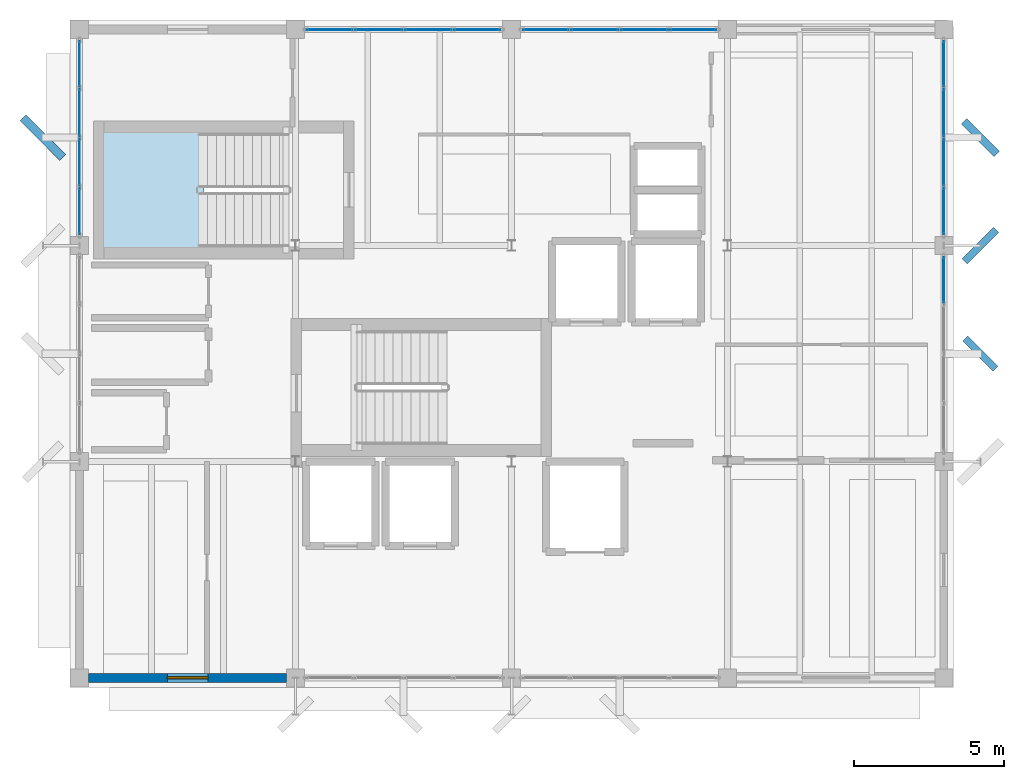
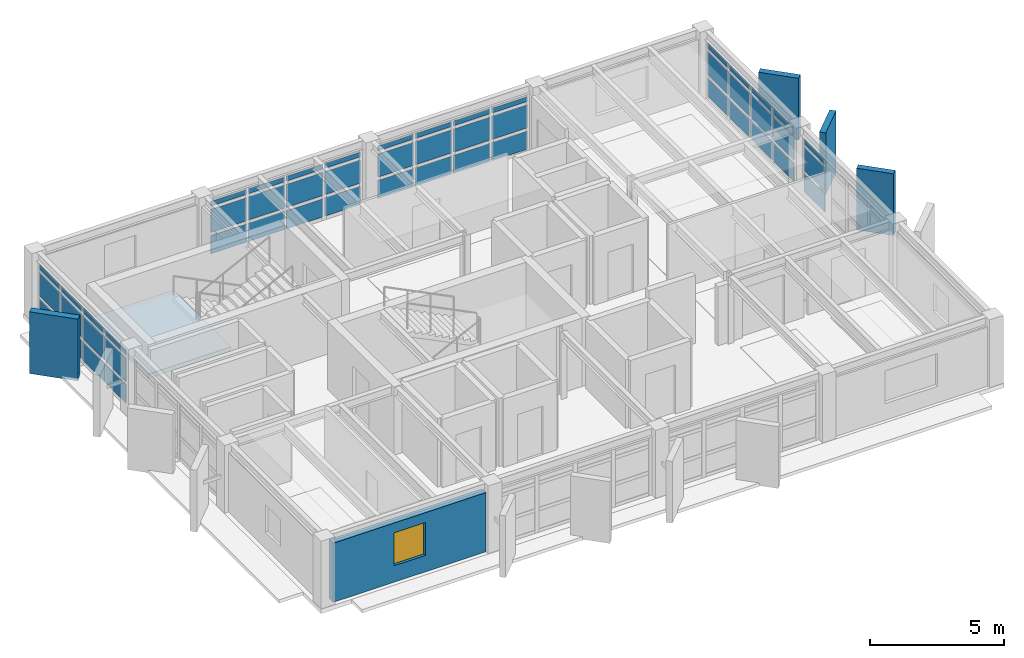
# One storey, part 10 of 15: 55 plates, 1 slab, 1 wall, 1 window, 1 opening, 6 elements without a shape of their own.
"""IFC4 building model written with IfcOpenShell, lengths in metres."""

from ifc_helpers import new_model, si_unit, direction, frame, frame_2d, origin, origin_2d, place, context, subcontext, project, spatial, polyline, rectangle, outline, extrude, material, layer, layer_set, type_object, element, fill, aggregate, save


model = new_model("IFC4")

# Units and contexts
model_context = context("Model", 3, precision=1e-05, world=origin(), true_north=direction((0.0, 1.0)))
body_context = subcontext(model_context, "Body", "Model", "MODEL_VIEW")
ifc_project = project(units=[si_unit("LENGTHUNIT", "METRE"), si_unit("AREAUNIT", "SQUARE_METRE"), si_unit("VOLUMEUNIT", "CUBIC_METRE"), si_unit("PLANEANGLEUNIT", "RADIAN"), si_unit("MASSUNIT", "GRAM", prefix="KILO")], contexts=[model_context])

# Site, building, storey
site_placement = place(None, origin())
site = spatial("IfcSite", under=ifc_project, at=site_placement, CompositionType="ELEMENT")
building_placement = place(site_placement, origin())
building = spatial("IfcBuilding", under=site, at=building_placement, Name="Kandorven Conservatory and Botanical Research Centre", CompositionType="ELEMENT")
storey_placement = place(building_placement, frame((0.0, 0.0, 56.10009765625)))
storey = spatial("IfcBuildingStorey", under=building, at=storey_placement, Name="L14", CompositionType="ELEMENT", Elevation=56.10009765625)

# Curtain wall, plates
ifc_material_1 = material(Name="Bronze anodised thermally broken aluminium", Category="aluminium")
ifc_layer_1 = layer(ifc_material_1, 0.179931640625)
ifc_layer_set_1 = layer_set([ifc_layer_1], Name="Bronze anodised thermally broken aluminium")
curtain_wall_type = type_object("IfcCurtainWallType", Name="CW_Unitised", PredefinedType="USERDEFINED", material=ifc_layer_set_1)
curtain_wall_1_placement = place(storey_placement, origin())
curtain_wall_1 = element("IfcCurtainWall", 1, at=curtain_wall_1_placement, inside=storey, type_object=curtain_wall_type, Name="Tower laboratory curtain wall CW-TWR-N-L14-2", ObjectType="UNITISED GLAZING", PredefinedType="USERDEFINED")
ifc_material_2 = material(Name="Double-glazed solar-control low-E glass", Category="glass")
ifc_layer_2 = layer(ifc_material_2, 0.028076171875)
ifc_layer_set_2 = layer_set([ifc_layer_2], Name="Double-glazed solar-control low-E glass")
plate_type_1 = type_object("IfcPlateType", Name="CW_Panel", PredefinedType="CURTAIN_PANEL", material=ifc_layer_set_2)
plate_1_placement = place(storey_placement, frame((14.344970703125, 27.60009765625, 0.14990234375), z_axis=(0.0, 0.0, 1.0), x_axis=(1.0, 0.0, 0.0)))
plate_1 = element("IfcPlate", 2, at=plate_1_placement, type_object=plate_type_1, Name="CW-01 panel 1.1", PredefinedType="CURTAIN_PANEL", context=body_context, shape_type="SweptSolid", body=[
    extrude(rectangle(XDim=1.530029296875, YDim=0.028076171875, at=origin_2d()), origin(), (0.0, 0.0, 1.0), 0.824951171875),
])
plate_2_placement = place(storey_placement, frame((14.344970703125, 27.60009765625, 1.125), z_axis=(0.0, 0.0, 1.0), x_axis=(1.0, 0.0, 0.0)))
plate_2 = element("IfcPlate", 3, at=plate_2_placement, type_object=plate_type_1, Name="CW-01 panel 1.2", PredefinedType="CURTAIN_PANEL", context=body_context, shape_type="SweptSolid", body=[
    extrude(rectangle(XDim=1.530029296875, YDim=0.028076171875, at=origin_2d()), origin(), (0.0, 0.0, 1.0), 1.050048828125),
])
plate_3_placement = place(storey_placement, frame((14.344970703125, 27.60009765625, 2.32470703125), z_axis=(0.0, 0.0, 1.0), x_axis=(1.0, 0.0, 0.0)))
plate_3 = element("IfcPlate", 4, at=plate_3_placement, type_object=plate_type_1, Name="CW-01 panel 1.3", PredefinedType="CURTAIN_PANEL", context=body_context, shape_type="SweptSolid", body=[
    extrude(rectangle(XDim=1.530029296875, YDim=0.028076171875, at=origin_2d()), origin(), (0.0, 0.0, 1.0), 0.219970703125),
])
plate_4_placement = place(storey_placement, frame((15.97509765625, 27.60009765625, 0.14990234375), z_axis=(0.0, 0.0, 1.0), x_axis=(1.0, 0.0, 0.0)))
plate_4 = element("IfcPlate", 5, at=plate_4_placement, type_object=plate_type_1, Name="CW-01 panel 2.1", PredefinedType="CURTAIN_PANEL", context=body_context, shape_type="SweptSolid", body=[
    extrude(rectangle(XDim=1.570068359375, YDim=0.028076171875, at=origin_2d()), origin(), (0.0, 0.0, 1.0), 0.824951171875),
])
plate_5_placement = place(storey_placement, frame((15.97509765625, 27.60009765625, 1.125), z_axis=(0.0, 0.0, 1.0), x_axis=(1.0, 0.0, 0.0)))
plate_5 = element("IfcPlate", 6, at=plate_5_placement, type_object=plate_type_1, Name="CW-01 panel 2.2", PredefinedType="CURTAIN_PANEL", context=body_context, shape_type="SweptSolid", body=[
    extrude(rectangle(XDim=1.570068359375, YDim=0.028076171875, at=origin_2d()), origin(), (0.0, 0.0, 1.0), 1.050048828125),
])
plate_6_placement = place(storey_placement, frame((15.97509765625, 27.60009765625, 2.32470703125), z_axis=(0.0, 0.0, 1.0), x_axis=(1.0, 0.0, 0.0)))
plate_6 = element("IfcPlate", 7, at=plate_6_placement, type_object=plate_type_1, Name="CW-01 panel 2.3", PredefinedType="CURTAIN_PANEL", context=body_context, shape_type="SweptSolid", body=[
    extrude(rectangle(XDim=1.570068359375, YDim=0.028076171875, at=origin_2d()), origin(), (0.0, 0.0, 1.0), 0.219970703125),
])
plate_7_placement = place(storey_placement, frame((17.625, 27.60009765625, 0.14990234375), z_axis=(0.0, 0.0, 1.0), x_axis=(1.0, 0.0, 0.0)))
plate_7 = element("IfcPlate", 8, at=plate_7_placement, type_object=plate_type_1, Name="CW-01 panel 3.1", PredefinedType="CURTAIN_PANEL", context=body_context, shape_type="SweptSolid", body=[
    extrude(rectangle(XDim=1.570068359375, YDim=0.028076171875, at=origin_2d()), origin(), (0.0, 0.0, 1.0), 0.824951171875),
])
plate_8_placement = place(storey_placement, frame((17.625, 27.60009765625, 1.125), z_axis=(0.0, 0.0, 1.0), x_axis=(1.0, 0.0, 0.0)))
plate_8 = element("IfcPlate", 9, at=plate_8_placement, type_object=plate_type_1, Name="CW-01 panel 3.2", PredefinedType="CURTAIN_PANEL", context=body_context, shape_type="SweptSolid", body=[
    extrude(rectangle(XDim=1.570068359375, YDim=0.028076171875, at=origin_2d()), origin(), (0.0, 0.0, 1.0), 1.050048828125),
])
plate_9_placement = place(storey_placement, frame((17.625, 27.60009765625, 2.32470703125), z_axis=(0.0, 0.0, 1.0), x_axis=(1.0, 0.0, 0.0)))
plate_9 = element("IfcPlate", 10, at=plate_9_placement, type_object=plate_type_1, Name="CW-01 panel 3.3", PredefinedType="CURTAIN_PANEL", context=body_context, shape_type="SweptSolid", body=[
    extrude(rectangle(XDim=1.570068359375, YDim=0.028076171875, at=origin_2d()), origin(), (0.0, 0.0, 1.0), 0.219970703125),
])
plate_10_placement = place(storey_placement, frame((19.2548828125, 27.60009765625, 0.14990234375), z_axis=(0.0, 0.0, 1.0), x_axis=(1.0, 0.0, 0.0)))
plate_10 = element("IfcPlate", 11, at=plate_10_placement, type_object=plate_type_1, Name="CW-01 panel 4.1", PredefinedType="CURTAIN_PANEL", context=body_context, shape_type="SweptSolid", body=[
    extrude(rectangle(XDim=1.530029296875, YDim=0.028076171875, at=origin_2d()), origin(), (0.0, 0.0, 1.0), 0.824951171875),
])
plate_11_placement = place(storey_placement, frame((19.2548828125, 27.60009765625, 1.125), z_axis=(0.0, 0.0, 1.0), x_axis=(1.0, 0.0, 0.0)))
plate_11 = element("IfcPlate", 12, at=plate_11_placement, type_object=plate_type_1, Name="CW-01 panel 4.2", PredefinedType="CURTAIN_PANEL", context=body_context, shape_type="SweptSolid", body=[
    extrude(rectangle(XDim=1.530029296875, YDim=0.028076171875, at=origin_2d()), origin(), (0.0, 0.0, 1.0), 1.050048828125),
])
plate_12_placement = place(storey_placement, frame((19.2548828125, 27.60009765625, 2.32470703125), z_axis=(0.0, 0.0, 1.0), x_axis=(1.0, 0.0, 0.0)))
plate_12 = element("IfcPlate", 13, at=plate_12_placement, type_object=plate_type_1, Name="CW-01 panel 4.3", PredefinedType="CURTAIN_PANEL", context=body_context, shape_type="SweptSolid", body=[
    extrude(rectangle(XDim=1.530029296875, YDim=0.028076171875, at=origin_2d()), origin(), (0.0, 0.0, 1.0), 0.219970703125),
])
aggregate(curtain_wall_1, [plate_1, plate_2, plate_3, plate_4, plate_5, plate_6, plate_7, plate_8, plate_9, plate_10, plate_11, plate_12])

curtain_wall_2_placement = place(storey_placement, origin())
curtain_wall_2 = element("IfcCurtainWall", 14, at=curtain_wall_2_placement, inside=storey, type_object=curtain_wall_type, Name="Tower laboratory curtain wall CW-TWR-N-L14-3", ObjectType="UNITISED GLAZING", PredefinedType="USERDEFINED")
plate_13_placement = place(storey_placement, frame((21.544921875, 27.60009765625, 0.14990234375), z_axis=(0.0, 0.0, 1.0), x_axis=(1.0, 0.0, 0.0)))
plate_13 = element("IfcPlate", 15, at=plate_13_placement, type_object=plate_type_1, Name="CW-01 panel 1.1", PredefinedType="CURTAIN_PANEL", context=body_context, shape_type="SweptSolid", body=[
    extrude(rectangle(XDim=1.530029296875, YDim=0.028076171875, at=origin_2d()), origin(), (0.0, 0.0, 1.0), 0.824951171875),
])
plate_14_placement = place(storey_placement, frame((21.544921875, 27.60009765625, 1.125), z_axis=(0.0, 0.0, 1.0), x_axis=(1.0, 0.0, 0.0)))
plate_14 = element("IfcPlate", 16, at=plate_14_placement, type_object=plate_type_1, Name="CW-01 panel 1.2", PredefinedType="CURTAIN_PANEL", context=body_context, shape_type="SweptSolid", body=[
    extrude(rectangle(XDim=1.530029296875, YDim=0.028076171875, at=origin_2d()), origin(), (0.0, 0.0, 1.0), 1.050048828125),
])
plate_15_placement = place(storey_placement, frame((21.544921875, 27.60009765625, 2.32470703125), z_axis=(0.0, 0.0, 1.0), x_axis=(1.0, 0.0, 0.0)))
plate_15 = element("IfcPlate", 17, at=plate_15_placement, type_object=plate_type_1, Name="CW-01 panel 1.3", PredefinedType="CURTAIN_PANEL", context=body_context, shape_type="SweptSolid", body=[
    extrude(rectangle(XDim=1.530029296875, YDim=0.028076171875, at=origin_2d()), origin(), (0.0, 0.0, 1.0), 0.219970703125),
])
plate_16_placement = place(storey_placement, frame((23.175048828125, 27.60009765625, 0.14990234375), z_axis=(0.0, 0.0, 1.0), x_axis=(1.0, 0.0, 0.0)))
plate_16 = element("IfcPlate", 18, at=plate_16_placement, type_object=plate_type_1, Name="CW-01 panel 2.1", PredefinedType="CURTAIN_PANEL", context=body_context, shape_type="SweptSolid", body=[
    extrude(rectangle(XDim=1.570068359375, YDim=0.028076171875, at=origin_2d()), origin(), (0.0, 0.0, 1.0), 0.824951171875),
])
plate_17_placement = place(storey_placement, frame((23.175048828125, 27.60009765625, 1.125), z_axis=(0.0, 0.0, 1.0), x_axis=(1.0, 0.0, 0.0)))
plate_17 = element("IfcPlate", 19, at=plate_17_placement, type_object=plate_type_1, Name="CW-01 panel 2.2", PredefinedType="CURTAIN_PANEL", context=body_context, shape_type="SweptSolid", body=[
    extrude(rectangle(XDim=1.570068359375, YDim=0.028076171875, at=origin_2d()), origin(), (0.0, 0.0, 1.0), 1.050048828125),
])
plate_18_placement = place(storey_placement, frame((23.175048828125, 27.60009765625, 2.32470703125), z_axis=(0.0, 0.0, 1.0), x_axis=(1.0, 0.0, 0.0)))
plate_18 = element("IfcPlate", 20, at=plate_18_placement, type_object=plate_type_1, Name="CW-01 panel 2.3", PredefinedType="CURTAIN_PANEL", context=body_context, shape_type="SweptSolid", body=[
    extrude(rectangle(XDim=1.570068359375, YDim=0.028076171875, at=origin_2d()), origin(), (0.0, 0.0, 1.0), 0.219970703125),
])
plate_19_placement = place(storey_placement, frame((24.824951171875, 27.60009765625, 0.14990234375), z_axis=(0.0, 0.0, 1.0), x_axis=(1.0, 0.0, 0.0)))
plate_19 = element("IfcPlate", 21, at=plate_19_placement, type_object=plate_type_1, Name="CW-01 panel 3.1", PredefinedType="CURTAIN_PANEL", context=body_context, shape_type="SweptSolid", body=[
    extrude(rectangle(XDim=1.570068359375, YDim=0.028076171875, at=origin_2d()), origin(), (0.0, 0.0, 1.0), 0.824951171875),
])
plate_20_placement = place(storey_placement, frame((24.824951171875, 27.60009765625, 1.125), z_axis=(0.0, 0.0, 1.0), x_axis=(1.0, 0.0, 0.0)))
plate_20 = element("IfcPlate", 22, at=plate_20_placement, type_object=plate_type_1, Name="CW-01 panel 3.2", PredefinedType="CURTAIN_PANEL", context=body_context, shape_type="SweptSolid", body=[
    extrude(rectangle(XDim=1.570068359375, YDim=0.028076171875, at=origin_2d()), origin(), (0.0, 0.0, 1.0), 1.050048828125),
])
plate_21_placement = place(storey_placement, frame((24.824951171875, 27.60009765625, 2.32470703125), z_axis=(0.0, 0.0, 1.0), x_axis=(1.0, 0.0, 0.0)))
plate_21 = element("IfcPlate", 23, at=plate_21_placement, type_object=plate_type_1, Name="CW-01 panel 3.3", PredefinedType="CURTAIN_PANEL", context=body_context, shape_type="SweptSolid", body=[
    extrude(rectangle(XDim=1.570068359375, YDim=0.028076171875, at=origin_2d()), origin(), (0.0, 0.0, 1.0), 0.219970703125),
])
plate_22_placement = place(storey_placement, frame((26.455078125, 27.60009765625, 0.14990234375), z_axis=(0.0, 0.0, 1.0), x_axis=(1.0, 0.0, 0.0)))
plate_22 = element("IfcPlate", 24, at=plate_22_placement, type_object=plate_type_1, Name="CW-01 panel 4.1", PredefinedType="CURTAIN_PANEL", context=body_context, shape_type="SweptSolid", body=[
    extrude(rectangle(XDim=1.530029296875, YDim=0.028076171875, at=origin_2d()), origin(), (0.0, 0.0, 1.0), 0.824951171875),
])
plate_23_placement = place(storey_placement, frame((26.455078125, 27.60009765625, 1.125), z_axis=(0.0, 0.0, 1.0), x_axis=(1.0, 0.0, 0.0)))
plate_23 = element("IfcPlate", 25, at=plate_23_placement, type_object=plate_type_1, Name="CW-01 panel 4.2", PredefinedType="CURTAIN_PANEL", context=body_context, shape_type="SweptSolid", body=[
    extrude(rectangle(XDim=1.530029296875, YDim=0.028076171875, at=origin_2d()), origin(), (0.0, 0.0, 1.0), 1.050048828125),
])
plate_24_placement = place(storey_placement, frame((26.455078125, 27.60009765625, 2.32470703125), z_axis=(0.0, 0.0, 1.0), x_axis=(1.0, 0.0, 0.0)))
plate_24 = element("IfcPlate", 26, at=plate_24_placement, type_object=plate_type_1, Name="CW-01 panel 4.3", PredefinedType="CURTAIN_PANEL", context=body_context, shape_type="SweptSolid", body=[
    extrude(rectangle(XDim=1.530029296875, YDim=0.028076171875, at=origin_2d()), origin(), (0.0, 0.0, 1.0), 0.219970703125),
])
aggregate(curtain_wall_2, [plate_13, plate_14, plate_15, plate_16, plate_17, plate_18, plate_19, plate_20, plate_21, plate_22, plate_23, plate_24])

curtain_wall_3_placement = place(storey_placement, origin())
curtain_wall_3 = element("IfcCurtainWall", 27, at=curtain_wall_3_placement, inside=storey, type_object=curtain_wall_type, Name="Tower laboratory curtain wall CW-TWR-W-L14-3", ObjectType="UNITISED GLAZING", PredefinedType="USERDEFINED")
plate_25_placement = place(storey_placement, frame((6.0, 21.544921875, 0.14990234375), z_axis=(0.0, 0.0, 1.0), x_axis=(0.0, 1.0, 0.0)))
plate_25 = element("IfcPlate", 28, at=plate_25_placement, type_object=plate_type_1, Name="CW-01 panel 1.1", PredefinedType="CURTAIN_PANEL", context=body_context, shape_type="SweptSolid", body=[
    extrude(rectangle(XDim=1.530029296875, YDim=0.028076171875, at=origin_2d()), origin(), (0.0, 0.0, 1.0), 0.824951171875),
])
plate_26_placement = place(storey_placement, frame((6.0, 21.544921875, 1.125), z_axis=(0.0, 0.0, 1.0), x_axis=(0.0, 1.0, 0.0)))
plate_26 = element("IfcPlate", 29, at=plate_26_placement, type_object=plate_type_1, Name="CW-01 panel 1.2", PredefinedType="CURTAIN_PANEL", context=body_context, shape_type="SweptSolid", body=[
    extrude(rectangle(XDim=1.530029296875, YDim=0.028076171875, at=origin_2d()), origin(), (0.0, 0.0, 1.0), 1.050048828125),
])
plate_27_placement = place(storey_placement, frame((6.0, 21.544921875, 2.32470703125), z_axis=(0.0, 0.0, 1.0), x_axis=(0.0, 1.0, 0.0)))
plate_27 = element("IfcPlate", 30, at=plate_27_placement, type_object=plate_type_1, Name="CW-01 panel 1.3", PredefinedType="CURTAIN_PANEL", context=body_context, shape_type="SweptSolid", body=[
    extrude(rectangle(XDim=1.530029296875, YDim=0.028076171875, at=origin_2d()), origin(), (0.0, 0.0, 1.0), 0.219970703125),
])
plate_28_placement = place(storey_placement, frame((6.0, 23.175048828125, 0.14990234375), z_axis=(0.0, 0.0, 1.0), x_axis=(0.0, 1.0, 0.0)))
plate_28 = element("IfcPlate", 31, at=plate_28_placement, type_object=plate_type_1, Name="CW-01 panel 2.1", PredefinedType="CURTAIN_PANEL", context=body_context, shape_type="SweptSolid", body=[
    extrude(rectangle(XDim=1.570068359375, YDim=0.028076171875, at=origin_2d()), origin(), (0.0, 0.0, 1.0), 0.824951171875),
])
plate_29_placement = place(storey_placement, frame((6.0, 23.175048828125, 1.125), z_axis=(0.0, 0.0, 1.0), x_axis=(0.0, 1.0, 0.0)))
plate_29 = element("IfcPlate", 32, at=plate_29_placement, type_object=plate_type_1, Name="CW-01 panel 2.2", PredefinedType="CURTAIN_PANEL", context=body_context, shape_type="SweptSolid", body=[
    extrude(rectangle(XDim=1.570068359375, YDim=0.028076171875, at=origin_2d()), origin(), (0.0, 0.0, 1.0), 1.050048828125),
])
plate_30_placement = place(storey_placement, frame((6.0, 23.175048828125, 2.32470703125), z_axis=(0.0, 0.0, 1.0), x_axis=(0.0, 1.0, 0.0)))
plate_30 = element("IfcPlate", 33, at=plate_30_placement, type_object=plate_type_1, Name="CW-01 panel 2.3", PredefinedType="CURTAIN_PANEL", context=body_context, shape_type="SweptSolid", body=[
    extrude(rectangle(XDim=1.570068359375, YDim=0.028076171875, at=origin_2d()), origin(), (0.0, 0.0, 1.0), 0.219970703125),
])
plate_31_placement = place(storey_placement, frame((6.0, 24.824951171875, 0.14990234375), z_axis=(0.0, 0.0, 1.0), x_axis=(0.0, 1.0, 0.0)))
plate_31 = element("IfcPlate", 34, at=plate_31_placement, type_object=plate_type_1, Name="CW-01 panel 3.1", PredefinedType="CURTAIN_PANEL", context=body_context, shape_type="SweptSolid", body=[
    extrude(rectangle(XDim=1.570068359375, YDim=0.028076171875, at=origin_2d()), origin(), (0.0, 0.0, 1.0), 0.824951171875),
])
plate_32_placement = place(storey_placement, frame((6.0, 24.824951171875, 1.125), z_axis=(0.0, 0.0, 1.0), x_axis=(0.0, 1.0, 0.0)))
plate_32 = element("IfcPlate", 35, at=plate_32_placement, type_object=plate_type_1, Name="CW-01 panel 3.2", PredefinedType="CURTAIN_PANEL", context=body_context, shape_type="SweptSolid", body=[
    extrude(rectangle(XDim=1.570068359375, YDim=0.028076171875, at=origin_2d()), origin(), (0.0, 0.0, 1.0), 1.050048828125),
])
plate_33_placement = place(storey_placement, frame((6.0, 24.824951171875, 2.32470703125), z_axis=(0.0, 0.0, 1.0), x_axis=(0.0, 1.0, 0.0)))
plate_33 = element("IfcPlate", 36, at=plate_33_placement, type_object=plate_type_1, Name="CW-01 panel 3.3", PredefinedType="CURTAIN_PANEL", context=body_context, shape_type="SweptSolid", body=[
    extrude(rectangle(XDim=1.570068359375, YDim=0.028076171875, at=origin_2d()), origin(), (0.0, 0.0, 1.0), 0.219970703125),
])
plate_34_placement = place(storey_placement, frame((6.0, 26.455078125, 0.14990234375), z_axis=(0.0, 0.0, 1.0), x_axis=(0.0, 1.0, 0.0)))
plate_34 = element("IfcPlate", 37, at=plate_34_placement, type_object=plate_type_1, Name="CW-01 panel 4.1", PredefinedType="CURTAIN_PANEL", context=body_context, shape_type="SweptSolid", body=[
    extrude(rectangle(XDim=1.530029296875, YDim=0.028076171875, at=origin_2d()), origin(), (0.0, 0.0, 1.0), 0.824951171875),
])
plate_35_placement = place(storey_placement, frame((6.0, 26.455078125, 1.125), z_axis=(0.0, 0.0, 1.0), x_axis=(0.0, 1.0, 0.0)))
plate_35 = element("IfcPlate", 38, at=plate_35_placement, type_object=plate_type_1, Name="CW-01 panel 4.2", PredefinedType="CURTAIN_PANEL", context=body_context, shape_type="SweptSolid", body=[
    extrude(rectangle(XDim=1.530029296875, YDim=0.028076171875, at=origin_2d()), origin(), (0.0, 0.0, 1.0), 1.050048828125),
])
plate_36_placement = place(storey_placement, frame((6.0, 26.455078125, 2.32470703125), z_axis=(0.0, 0.0, 1.0), x_axis=(0.0, 1.0, 0.0)))
plate_36 = element("IfcPlate", 39, at=plate_36_placement, type_object=plate_type_1, Name="CW-01 panel 4.3", PredefinedType="CURTAIN_PANEL", context=body_context, shape_type="SweptSolid", body=[
    extrude(rectangle(XDim=1.530029296875, YDim=0.028076171875, at=origin_2d()), origin(), (0.0, 0.0, 1.0), 0.219970703125),
])
aggregate(curtain_wall_3, [plate_25, plate_26, plate_27, plate_28, plate_29, plate_30, plate_31, plate_32, plate_33, plate_34, plate_35, plate_36])

curtain_wall_4_placement = place(storey_placement, origin())
curtain_wall_4 = element("IfcCurtainWall", 40, at=curtain_wall_4_placement, inside=storey, type_object=curtain_wall_type, Name="Tower laboratory curtain wall CW-TWR-E-L14-2", ObjectType="UNITISED GLAZING", PredefinedType="USERDEFINED")
plate_37_placement = place(storey_placement, frame((34.800048828125, 19.2548828125, 0.14990234375), z_axis=(0.0, 0.0, 1.0), x_axis=(0.0, 1.0, 0.0)))
plate_37 = element("IfcPlate", 41, at=plate_37_placement, type_object=plate_type_1, Name="CW-01 panel 4.1", PredefinedType="CURTAIN_PANEL", context=body_context, shape_type="SweptSolid", body=[
    extrude(rectangle(XDim=1.530029296875, YDim=0.028076171875, at=origin_2d()), origin(), (0.0, 0.0, 1.0), 0.824951171875),
])
plate_38_placement = place(storey_placement, frame((34.800048828125, 19.2548828125, 1.125), z_axis=(0.0, 0.0, 1.0), x_axis=(0.0, 1.0, 0.0)))
plate_38 = element("IfcPlate", 42, at=plate_38_placement, type_object=plate_type_1, Name="CW-01 panel 4.2", PredefinedType="CURTAIN_PANEL", context=body_context, shape_type="SweptSolid", body=[
    extrude(rectangle(XDim=1.530029296875, YDim=0.028076171875, at=origin_2d()), origin(), (0.0, 0.0, 1.0), 1.050048828125),
])
plate_39_placement = place(storey_placement, frame((34.800048828125, 19.2548828125, 2.32470703125), z_axis=(0.0, 0.0, 1.0), x_axis=(0.0, 1.0, 0.0)))
plate_39 = element("IfcPlate", 43, at=plate_39_placement, type_object=plate_type_1, Name="CW-01 panel 4.3", PredefinedType="CURTAIN_PANEL", context=body_context, shape_type="SweptSolid", body=[
    extrude(rectangle(XDim=1.530029296875, YDim=0.028076171875, at=origin_2d()), origin(), (0.0, 0.0, 1.0), 0.219970703125),
])
aggregate(curtain_wall_4, [plate_37, plate_38, plate_39])

curtain_wall_5_placement = place(storey_placement, origin())
curtain_wall_5 = element("IfcCurtainWall", 44, at=curtain_wall_5_placement, inside=storey, type_object=curtain_wall_type, Name="Tower laboratory curtain wall CW-TWR-E-L14-3", ObjectType="UNITISED GLAZING", PredefinedType="USERDEFINED")
plate_40_placement = place(storey_placement, frame((34.800048828125, 21.544921875, 0.14990234375), z_axis=(0.0, 0.0, 1.0), x_axis=(0.0, 1.0, 0.0)))
plate_40 = element("IfcPlate", 45, at=plate_40_placement, type_object=plate_type_1, Name="CW-01 panel 1.1", PredefinedType="CURTAIN_PANEL", context=body_context, shape_type="SweptSolid", body=[
    extrude(rectangle(XDim=1.530029296875, YDim=0.028076171875, at=origin_2d()), origin(), (0.0, 0.0, 1.0), 0.824951171875),
])
plate_41_placement = place(storey_placement, frame((34.800048828125, 21.544921875, 1.125), z_axis=(0.0, 0.0, 1.0), x_axis=(0.0, 1.0, 0.0)))
plate_41 = element("IfcPlate", 46, at=plate_41_placement, type_object=plate_type_1, Name="CW-01 panel 1.2", PredefinedType="CURTAIN_PANEL", context=body_context, shape_type="SweptSolid", body=[
    extrude(rectangle(XDim=1.530029296875, YDim=0.028076171875, at=origin_2d()), origin(), (0.0, 0.0, 1.0), 1.050048828125),
])
plate_42_placement = place(storey_placement, frame((34.800048828125, 21.544921875, 2.32470703125), z_axis=(0.0, 0.0, 1.0), x_axis=(0.0, 1.0, 0.0)))
plate_42 = element("IfcPlate", 47, at=plate_42_placement, type_object=plate_type_1, Name="CW-01 panel 1.3", PredefinedType="CURTAIN_PANEL", context=body_context, shape_type="SweptSolid", body=[
    extrude(rectangle(XDim=1.530029296875, YDim=0.028076171875, at=origin_2d()), origin(), (0.0, 0.0, 1.0), 0.219970703125),
])
plate_43_placement = place(storey_placement, frame((34.800048828125, 23.175048828125, 0.14990234375), z_axis=(0.0, 0.0, 1.0), x_axis=(0.0, 1.0, 0.0)))
plate_43 = element("IfcPlate", 48, at=plate_43_placement, type_object=plate_type_1, Name="CW-01 panel 2.1", PredefinedType="CURTAIN_PANEL", context=body_context, shape_type="SweptSolid", body=[
    extrude(rectangle(XDim=1.570068359375, YDim=0.028076171875, at=origin_2d()), origin(), (0.0, 0.0, 1.0), 0.824951171875),
])
plate_44_placement = place(storey_placement, frame((34.800048828125, 23.175048828125, 1.125), z_axis=(0.0, 0.0, 1.0), x_axis=(0.0, 1.0, 0.0)))
plate_44 = element("IfcPlate", 49, at=plate_44_placement, type_object=plate_type_1, Name="CW-01 panel 2.2", PredefinedType="CURTAIN_PANEL", context=body_context, shape_type="SweptSolid", body=[
    extrude(rectangle(XDim=1.570068359375, YDim=0.028076171875, at=origin_2d()), origin(), (0.0, 0.0, 1.0), 1.050048828125),
])
plate_45_placement = place(storey_placement, frame((34.800048828125, 23.175048828125, 2.32470703125), z_axis=(0.0, 0.0, 1.0), x_axis=(0.0, 1.0, 0.0)))
plate_45 = element("IfcPlate", 50, at=plate_45_placement, type_object=plate_type_1, Name="CW-01 panel 2.3", PredefinedType="CURTAIN_PANEL", context=body_context, shape_type="SweptSolid", body=[
    extrude(rectangle(XDim=1.570068359375, YDim=0.028076171875, at=origin_2d()), origin(), (0.0, 0.0, 1.0), 0.219970703125),
])
plate_46_placement = place(storey_placement, frame((34.800048828125, 24.824951171875, 0.14990234375), z_axis=(0.0, 0.0, 1.0), x_axis=(0.0, 1.0, 0.0)))
plate_46 = element("IfcPlate", 51, at=plate_46_placement, type_object=plate_type_1, Name="CW-01 panel 3.1", PredefinedType="CURTAIN_PANEL", context=body_context, shape_type="SweptSolid", body=[
    extrude(rectangle(XDim=1.570068359375, YDim=0.028076171875, at=origin_2d()), origin(), (0.0, 0.0, 1.0), 0.824951171875),
])
plate_47_placement = place(storey_placement, frame((34.800048828125, 24.824951171875, 1.125), z_axis=(0.0, 0.0, 1.0), x_axis=(0.0, 1.0, 0.0)))
plate_47 = element("IfcPlate", 52, at=plate_47_placement, type_object=plate_type_1, Name="CW-01 panel 3.2", PredefinedType="CURTAIN_PANEL", context=body_context, shape_type="SweptSolid", body=[
    extrude(rectangle(XDim=1.570068359375, YDim=0.028076171875, at=origin_2d()), origin(), (0.0, 0.0, 1.0), 1.050048828125),
])
plate_48_placement = place(storey_placement, frame((34.800048828125, 24.824951171875, 2.32470703125), z_axis=(0.0, 0.0, 1.0), x_axis=(0.0, 1.0, 0.0)))
plate_48 = element("IfcPlate", 53, at=plate_48_placement, type_object=plate_type_1, Name="CW-01 panel 3.3", PredefinedType="CURTAIN_PANEL", context=body_context, shape_type="SweptSolid", body=[
    extrude(rectangle(XDim=1.570068359375, YDim=0.028076171875, at=origin_2d()), origin(), (0.0, 0.0, 1.0), 0.219970703125),
])
plate_49_placement = place(storey_placement, frame((34.800048828125, 26.455078125, 0.14990234375), z_axis=(0.0, 0.0, 1.0), x_axis=(0.0, 1.0, 0.0)))
plate_49 = element("IfcPlate", 54, at=plate_49_placement, type_object=plate_type_1, Name="CW-01 panel 4.1", PredefinedType="CURTAIN_PANEL", context=body_context, shape_type="SweptSolid", body=[
    extrude(rectangle(XDim=1.530029296875, YDim=0.028076171875, at=origin_2d()), origin(), (0.0, 0.0, 1.0), 0.824951171875),
])
plate_50_placement = place(storey_placement, frame((34.800048828125, 26.455078125, 1.125), z_axis=(0.0, 0.0, 1.0), x_axis=(0.0, 1.0, 0.0)))
plate_50 = element("IfcPlate", 55, at=plate_50_placement, type_object=plate_type_1, Name="CW-01 panel 4.2", PredefinedType="CURTAIN_PANEL", context=body_context, shape_type="SweptSolid", body=[
    extrude(rectangle(XDim=1.530029296875, YDim=0.028076171875, at=origin_2d()), origin(), (0.0, 0.0, 1.0), 1.050048828125),
])
plate_51_placement = place(storey_placement, frame((34.800048828125, 26.455078125, 2.32470703125), z_axis=(0.0, 0.0, 1.0), x_axis=(0.0, 1.0, 0.0)))
plate_51 = element("IfcPlate", 56, at=plate_51_placement, type_object=plate_type_1, Name="CW-01 panel 4.3", PredefinedType="CURTAIN_PANEL", context=body_context, shape_type="SweptSolid", body=[
    extrude(rectangle(XDim=1.530029296875, YDim=0.028076171875, at=origin_2d()), origin(), (0.0, 0.0, 1.0), 0.219970703125),
])
aggregate(curtain_wall_5, [plate_40, plate_41, plate_42, plate_43, plate_44, plate_45, plate_46, plate_47, plate_48, plate_49, plate_50, plate_51])

# Plates
ifc_material_3 = material(Name="Precast concrete C40/50 (M50)", Category="concrete")
ifc_layer_3 = layer(ifc_material_3, 0.280029296875)
ifc_layer_set_3 = layer_set([ifc_layer_3], Name="Precast concrete C40/50 (M50)")
plate_type_2 = type_object("IfcPlateType", Name="Fin_BF-09", PredefinedType="USERDEFINED", material=ifc_layer_set_3)
plate_52_placement = place(storey_placement, frame((4.780029296875, 24.0, -0.1201171875), z_axis=(0.0, 0.0, 1.0), x_axis=(-0.707106781187, 0.707106781187, 0.0)))
element("IfcPlate", 57, at=plate_52_placement, inside=storey, type_object=plate_type_2, Name="Sculpted board-marked concrete brise-soleil fin BF-09", ObjectType="SOLAR FIN", PredefinedType="USERDEFINED", context=body_context, shape_type="SweptSolid", body=[
    extrude(rectangle(XDim=1.8798828125, YDim=0.280029296875, at=origin_2d()), origin(), (0.0, 0.0, 1.0), 2.81494140625),
])
ifc_material_4 = material(Name="Precast concrete C40/50 (M50)", Category="concrete")
ifc_layer_4 = layer(ifc_material_4, 0.241943359375)
ifc_layer_set_4 = layer_set([ifc_layer_4], Name="Precast concrete C40/50 (M50)")
plate_type_3 = type_object("IfcPlateType", Name="Fin_BF-11", PredefinedType="USERDEFINED", material=ifc_layer_set_4)
plate_53_placement = place(storey_placement, frame((36.02001953125, 16.800048828125, -0.1201171875), z_axis=(0.0, 0.0, 1.0), x_axis=(-0.707106781187, 0.707106781187, 0.0)))
element("IfcPlate", 58, at=plate_53_placement, inside=storey, type_object=plate_type_3, Name="Sculpted board-marked concrete brise-soleil fin BF-11", ObjectType="SOLAR FIN", PredefinedType="USERDEFINED", context=body_context, shape_type="SweptSolid", body=[
    extrude(rectangle(XDim=1.429931640625, YDim=0.241943359375, at=origin_2d()), origin(), (0.0, 0.0, 1.0), 2.81494140625),
])
ifc_material_5 = material(Name="Precast concrete C40/50 (M50)", Category="concrete")
ifc_layer_5 = layer(ifc_material_5, 0.248046875)
ifc_layer_set_5 = layer_set([ifc_layer_5], Name="Precast concrete C40/50 (M50)")
plate_type_4 = type_object("IfcPlateType", Name="Fin_BF-12", PredefinedType="USERDEFINED", material=ifc_layer_set_5)
plate_54_placement = place(storey_placement, frame((36.02001953125, 20.39990234375, -0.1201171875), z_axis=(0.0, 0.0, 1.0), x_axis=(0.707106781187, 0.707106781187, 0.0)))
element("IfcPlate", 59, at=plate_54_placement, inside=storey, type_object=plate_type_4, Name="Sculpted board-marked concrete brise-soleil fin BF-12", ObjectType="SOLAR FIN", PredefinedType="USERDEFINED", context=body_context, shape_type="SweptSolid", body=[
    extrude(rectangle(XDim=1.489990234375, YDim=0.248046875, at=origin_2d()), origin(), (0.0, 0.0, 1.0), 2.81494140625),
])
ifc_material_6 = material(Name="Precast concrete C40/50 (M50)", Category="concrete")
ifc_layer_6 = layer(ifc_material_6, 0.251953125)
ifc_layer_set_6 = layer_set([ifc_layer_6], Name="Precast concrete C40/50 (M50)")
plate_type_5 = type_object("IfcPlateType", Name="Fin_BF-13", PredefinedType="USERDEFINED", material=ifc_layer_set_6)
plate_55_placement = place(storey_placement, frame((36.02001953125, 24.0, -0.1201171875), z_axis=(0.0, 0.0, 1.0), x_axis=(-0.707106781187, 0.707106781187, 0.0)))
element("IfcPlate", 60, at=plate_55_placement, inside=storey, type_object=plate_type_5, Name="Sculpted board-marked concrete brise-soleil fin BF-13", ObjectType="SOLAR FIN", PredefinedType="USERDEFINED", context=body_context, shape_type="SweptSolid", body=[
    extrude(rectangle(XDim=1.550048828125, YDim=0.251953125, at=origin_2d()), origin(), (0.0, 0.0, 1.0), 2.81494140625),
])

# Stair, slab
ifc_material_7 = material(Name="Concrete C32/40 (M40)", Category="concrete")
stair_type = type_object("IfcStairType", Name="Stair_1820", PredefinedType="HALF_TURN_STAIR", material=ifc_material_7)
stair_placement = place(storey_placement, origin())
stair = element("IfcStair", 61, at=stair_placement, inside=storey, type_object=stair_type, Name="L14 Tower Fire Stair ST-T2", PredefinedType="HALF_TURN_STAIR")
ifc_material_8 = material(Name="Concrete C32/40 (M40)", Category="concrete")
ifc_layer_7 = layer(ifc_material_8, 0.199951171875)
ifc_layer_set_7 = layer_set([ifc_layer_7], Name="Concrete C32/40 (M40)")
slab_type = type_object("IfcSlabType", Name="StairLanding_200", PredefinedType="LANDING", material=ifc_layer_set_7)
slab_placement = place(storey_placement, frame((0.0, 0.0, 1.449951171875)))
slab = element("IfcSlab", 62, at=slab_placement, type_object=slab_type, Name="ST-T2 landing 1", PredefinedType="LANDING", context=body_context, shape_type="SweptSolid", body=[
    extrude(outline(polyline([(10.140380859375, 24.389892578125), (6.580078125, 24.389892578125), (6.580078125, 20.1201171875), (10.140380859375, 20.1201171875), (10.140380859375, 24.389892578125)])), origin(), (0.0, 0.0, 1.0), 0.199951171875),
])
aggregate(stair, [slab])

# Wall, opening, window
ifc_material_9 = material(Name="Concrete C32/40 (M40)", Category="concrete")
ifc_layer_8 = layer(ifc_material_9, 0.300048828125)
ifc_layer_set_8 = layer_set([ifc_layer_8], Name="Concrete C32/40 (M40)")
wall_type = type_object("IfcWallType", Name="Wall_EW-04", PredefinedType="STANDARD", material=ifc_layer_set_8)
wall_placement = place(storey_placement, frame((6.300048828125, 6.0, 0.0), z_axis=(0.0, 0.0, 1.0), x_axis=(1.0, 0.0, 0.0)))
wall = element("IfcWall", 63, at=wall_placement, inside=storey, type_object=wall_type, Name="Tower concrete facade wall EW-04 S L14", PredefinedType="STANDARD", context=body_context, shape_type="SweptSolid", body=[
    extrude(rectangle(XDim=6.599853515625, YDim=0.300048828125, at=frame_2d((3.2998046875, 0.0))), origin(), (0.0, 0.0, 1.0), 2.69482421875),
])
opening_placement = place(wall_placement, frame((2.625, 0.0, 0.75)))
opening = element("IfcOpeningElement", 64, at=opening_placement, cuts=wall, Name="Opening W-40", PredefinedType="OPENING", context=body_context, shape_type="SweptSolid", body=[
    extrude(rectangle(XDim=1.35009765625, YDim=1.5, at=frame_2d((0.675048828125, 0.75))), frame((0.0, 0.159912109375, 0.0), z_axis=(0.0, -1.0, 0.0), x_axis=(1.0, 0.0, 0.0)), (0.0, 0.0, 1.0), 0.320068359375),
])
ifc_material_10 = material(Name="Double-glazed solar-control low-E glass", Category="glass")
window_type = type_object("IfcWindowType", Name="Win_W-40", PartitioningType="DOUBLE_PANEL_VERTICAL", PredefinedType="WINDOW", material=ifc_material_10)
window_placement = place(opening_placement, origin())
window = element("IfcWindow", 65, at=window_placement, inside=storey, type_object=window_type, Name="Tower recessed solar window W-40", OverallHeight=1.5, OverallWidth=1.35009765625, PartitioningType="SINGLE_PANEL", PredefinedType="WINDOW", context=body_context, shape_type="SweptSolid", body=[
    extrude(rectangle(XDim=1.35009765625, YDim=1.5, at=frame_2d((0.675048828125, 0.75))), frame((0.0, 0.030029296875, 0.0), z_axis=(0.0, -1.0, 0.0), x_axis=(1.0, 0.0, 0.0)), (0.0, 0.0, 1.0), 0.06005859375),
])
fill(opening, window)

save(model, "model.ifc")
